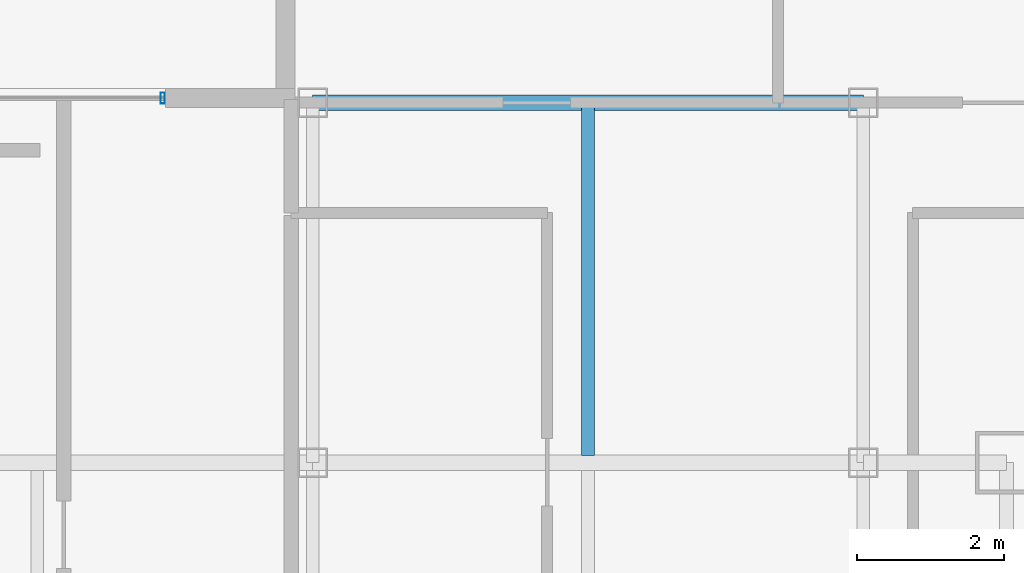
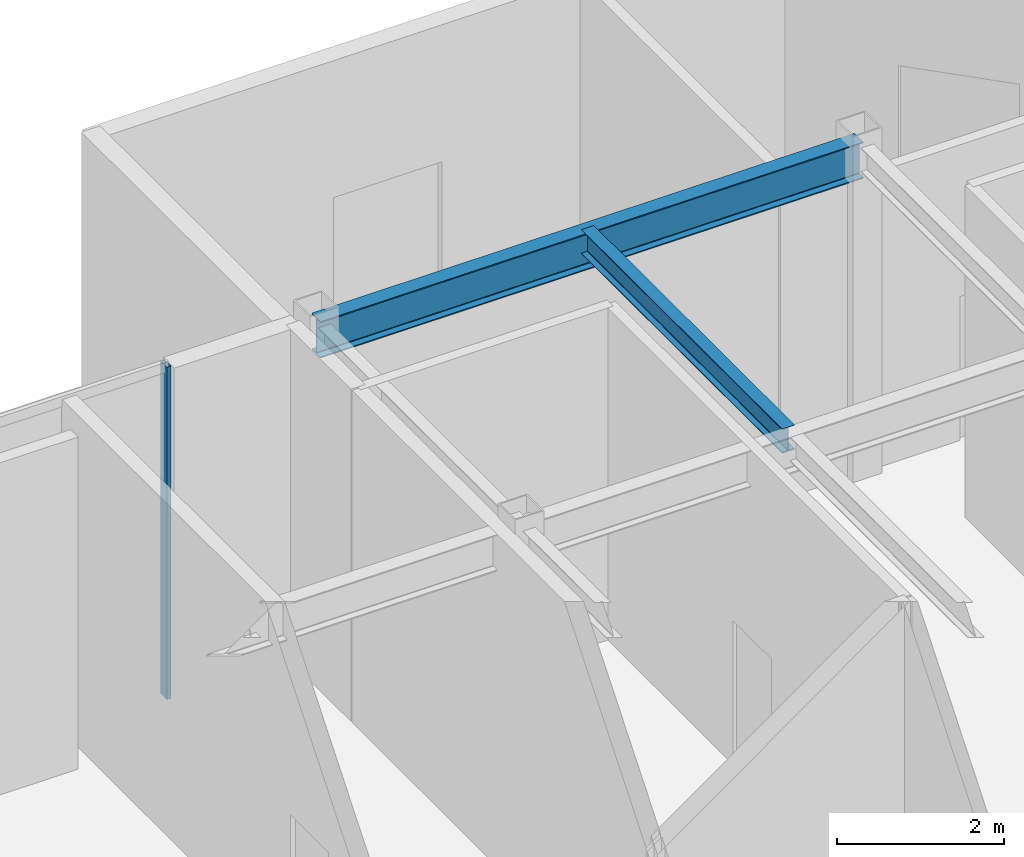
# One storey, part 5 of 11: 2 beams, 1 member, 1 element without a shape of its own.
"""IFC4 building model written with IfcOpenShell, lengths in metres."""

from ifc_helpers import new_model, si_unit, direction, frame, origin, origin_2d, place, context, subcontext, project, spatial, hollow_rectangle, i_section, extrude, material, material_profile, profile_set, type_object, element, aggregate, save


model = new_model("IFC4")

# Units and contexts
model_context = context("Model", 3, precision=1e-05, world=origin(), true_north=direction((0.0, 1.0)))
body_context = subcontext(model_context, "Body", "Model", "MODEL_VIEW")
ifc_project = project(units=[si_unit("LENGTHUNIT", "METRE"), si_unit("AREAUNIT", "SQUARE_METRE"), si_unit("VOLUMEUNIT", "CUBIC_METRE"), si_unit("PLANEANGLEUNIT", "RADIAN"), si_unit("MASSUNIT", "GRAM", prefix="KILO")], contexts=[model_context])

# Site, building, storey
site_placement = place(None, origin())
site = spatial("IfcSite", under=ifc_project, at=site_placement, CompositionType="ELEMENT")
building_placement = place(site_placement, origin())
building = spatial("IfcBuilding", under=site, at=building_placement, Name="Ventersveld Concourse Tower", CompositionType="ELEMENT")
storey_placement = place(building_placement, frame((0.0, 0.0, 308.0)))
storey = spatial("IfcBuildingStorey", under=building, at=storey_placement, Name="L76", CompositionType="ELEMENT", Elevation=308.0)

# Beam
ifc_material_1 = material(Name="Structural steel S355J2", Category="steel")
ifc_material_profile_1 = material_profile(ifc_material_1, i_section(OverallWidth=0.17138671875, OverallDepth=0.35498046875, WebThickness=0.00732421875, FlangeThickness=0.011474609375, FilletRadius=0.01025390625, at=origin_2d()), Name="UB 356x171x51")
ifc_profile_set_1 = profile_set([ifc_material_profile_1], Name="Structural steel S355J2")
beam_type_1 = type_object("IfcBeamType", Name="BM-UB356", PredefinedType="BEAM", material=ifc_profile_set_1)
beam_1_placement = place(storey_placement, frame((40.0, 23.695068359375, 4.672607421875), z_axis=(0.0, 1.0, 0.0), x_axis=(-1.0, 0.0, 0.0)))
element("IfcBeam", 1, at=beam_1_placement, inside=storey, type_object=beam_type_1, Name="L76 N-S Upper-Zone Floor Beam X=40.00", PredefinedType="BEAM", context=body_context, shape_type="SweptSolid", body=[
    extrude(i_section(OverallWidth=0.17138671875, OverallDepth=0.35498046875, WebThickness=0.00732421875, FlangeThickness=0.011474609375, FilletRadius=0.01025390625, at=origin_2d()), origin(), (0.0, 0.0, 1.0), 4.804931640625),
])

# Curtain wall, member
ifc_material_2 = material(Name="Anodised aluminium EN AW-6063-T6", Category="aluminium")
curtain_wall_type = type_object("IfcCurtainWallType", Name="CW-SG-4", PredefinedType="NOTDEFINED", material=ifc_material_2)
curtain_wall_placement = place(storey_placement, origin())
curtain_wall = element("IfcCurtainWall", 2, at=curtain_wall_placement, inside=storey, type_object=curtain_wall_type, Name="L76 L76 Sky Garden Recessed Curtain Wall", PredefinedType="NOTDEFINED")
ifc_material_profile_2 = material_profile(ifc_material_2, hollow_rectangle(XDim=0.06005859375, YDim=0.14990234375, WallThickness=0.00390625, at=origin_2d()), Name="ALU 150x60x4")
ifc_profile_set_2 = profile_set([ifc_material_profile_2], Name="Anodised aluminium EN AW-6063-T6")
member_type = type_object("IfcMemberType", Name="CWM-150x65", PredefinedType="MULLION", material=ifc_profile_set_2)
member_placement = place(storey_placement, frame((34.2099609375, 28.56298828125, 0.0), z_axis=(0.0, 0.0, 1.0), x_axis=(1.0, 0.0, 0.0)))
member = element("IfcMember", 3, at=member_placement, type_object=member_type, Name="CW-L76-SG-S2 Mullion 03", PredefinedType="MULLION", context=body_context, shape_type="SweptSolid", body=[
    extrude(hollow_rectangle(XDim=0.06005859375, YDim=0.14990234375, WallThickness=0.00390625, at=origin_2d()), origin(), (0.0, 0.0, 1.0), 4.85009765625),
])
aggregate(curtain_wall, [member])

# Beam
ifc_material_profile_3 = material_profile(ifc_material_1, i_section(OverallWidth=0.209228515625, OverallDepth=0.533203125, WebThickness=0.010009765625, FlangeThickness=0.015625, FilletRadius=0.0126953125, at=origin_2d()), Name="UB 533x210x92")
ifc_profile_set_3 = profile_set([ifc_material_profile_3], Name="Structural steel S355J2")
beam_type_2 = type_object("IfcBeamType", Name="GRD-UB533", PredefinedType="T_BEAM", material=ifc_profile_set_3)
beam_2_placement = place(storey_placement, frame((36.25, 28.5, 4.58349609375), z_axis=(1.0, 0.0, 0.0), x_axis=(0.0, 1.0, 0.0)))
element("IfcBeam", 4, at=beam_2_placement, inside=storey, type_object=beam_type_2, Name="L76 North Girder Y=28.50 E", PredefinedType="T_BEAM", context=body_context, shape_type="SweptSolid", body=[
    extrude(i_section(OverallWidth=0.209228515625, OverallDepth=0.533203125, WebThickness=0.010009765625, FlangeThickness=0.015625, FilletRadius=0.0126953125, at=origin_2d()), origin(), (0.0, 0.0, 1.0), 7.5),
])

save(model, "model.ifc")
